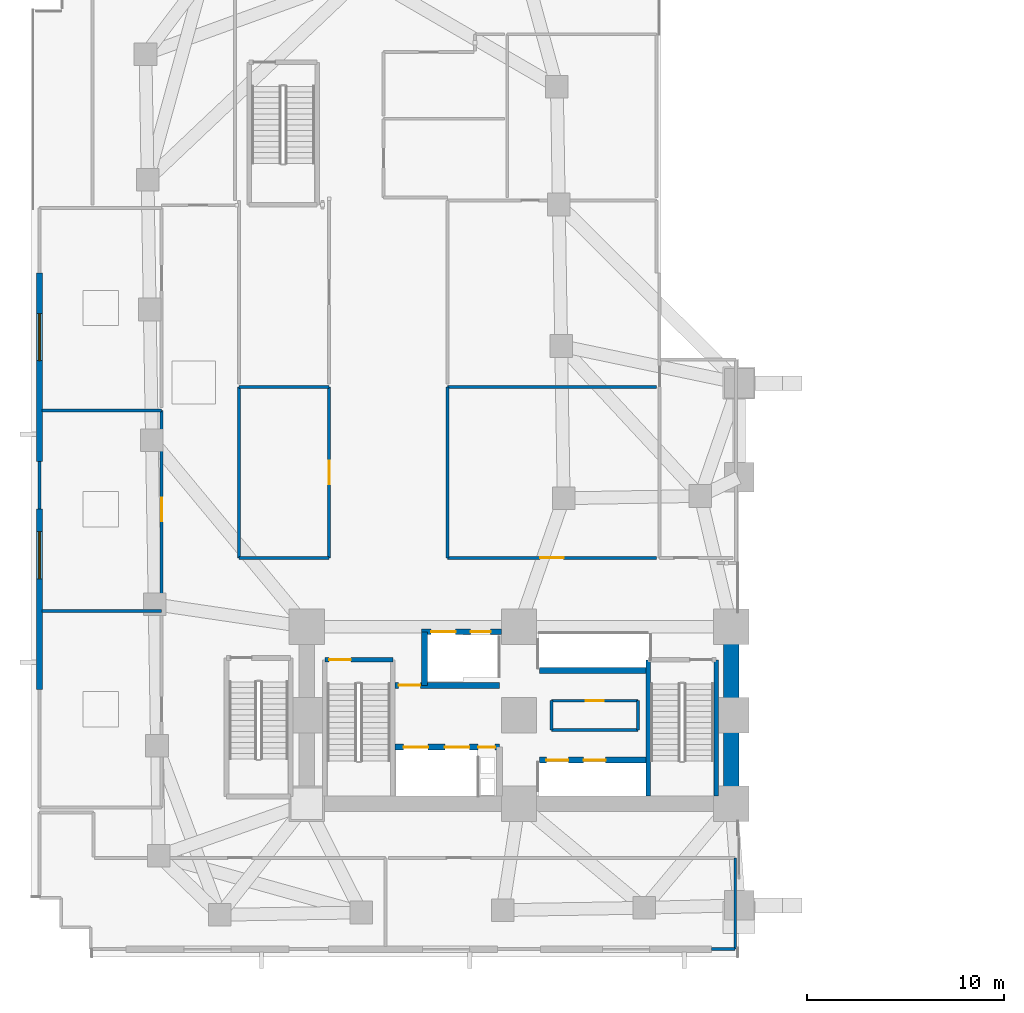
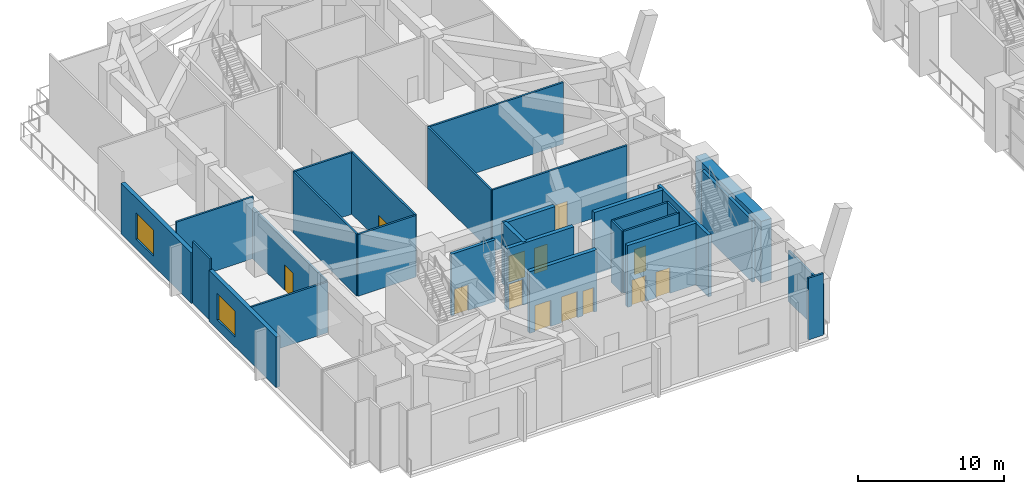
# One storey, part 8 of 18: 29 walls, 13 doors, 2 windows, 15 openings.
"""IFC4 building model written with IfcOpenShell, lengths in metres."""

from ifc_helpers import new_model, si_unit, direction, frame, frame_2d, origin, place, context, subcontext, project, spatial, rectangle, extrude, material, layer, layer_set, type_object, element, fill, save


model = new_model("IFC4")

# Units and contexts
model_context = context("Model", 3, precision=1e-05, world=origin(), true_north=direction((0.0, 1.0)))
body_context = subcontext(model_context, "Body", "Model", "MODEL_VIEW")
ifc_project = project(units=[si_unit("LENGTHUNIT", "METRE"), si_unit("AREAUNIT", "SQUARE_METRE"), si_unit("VOLUMEUNIT", "CUBIC_METRE"), si_unit("PLANEANGLEUNIT", "RADIAN"), si_unit("MASSUNIT", "GRAM", prefix="KILO")], contexts=[model_context])

# Site, building, storey
site_placement = place(None, origin())
site = spatial("IfcSite", under=ifc_project, at=site_placement, CompositionType="ELEMENT")
building_placement = place(site_placement, origin())
building = spatial("IfcBuilding", under=site, at=building_placement, Name="Gaonmaruhae Medical Tower", CompositionType="ELEMENT")
storey_placement = place(building_placement, frame((0.0, 0.0, 5.39990234375)))
storey = spatial("IfcBuildingStorey", under=building, at=storey_placement, Name="L01", CompositionType="ELEMENT", Elevation=5.39990234375)

# Wall
ifc_material_1 = material(Name="Concrete C60/75", Category="concrete")
ifc_layer_1 = layer(ifc_material_1, 0.800048828125)
ifc_layer_set_1 = layer_set([ifc_layer_1], Name="Concrete C60/75")
wall_type_1 = type_object("IfcWallType", Name="CW-800 Lower Core Shear Wall", PredefinedType="SHEAR", material=ifc_layer_set_1)
wall_1_placement = place(storey_placement, frame((35.60009765625, 7.800048828125, 0.0), z_axis=(0.0, 0.0, 1.0), x_axis=(0.0, 1.0, 0.0)))
element("IfcWall", 1, at=wall_1_placement, inside=storey, type_object=wall_type_1, Name="L01 Core Shear Wall CSW-E1", PredefinedType="SHEAR", context=body_context, shape_type="SweptSolid", body=[
    extrude(rectangle(XDim=9.0, YDim=0.800048828125, at=frame_2d((4.5, 0.0))), origin(), (0.0, 0.0, 1.0), 5.150146484375),
])

# Wall, opening, window
ifc_material_2 = material(Name="Precast concrete C45/55", Category="concrete")
ifc_layer_2 = layer(ifc_material_2, 0.320068359375)
ifc_layer_set_2 = layer_set([ifc_layer_2], Name="Precast concrete C45/55")
wall_type_2 = type_object("IfcWallType", Name="EW-320 Lower Precast Masonry-Frame Facade Wall", PredefinedType="SOLIDWALL", material=ifc_layer_set_2)
wall_2_placement = place(storey_placement, frame((0.39990234375, 13.60009765625, 0.0), z_axis=(0.0, 0.0, 1.0), x_axis=(0.0, 1.0, 0.0)))
wall_2 = element("IfcWall", 2, at=wall_2_placement, inside=storey, type_object=wall_type_2, Name="L01 Precast Facade Wall PB-W1", PredefinedType="SOLIDWALL", context=body_context, shape_type="SweptSolid", body=[
    extrude(rectangle(XDim=9.199951171875, YDim=0.320068359375, at=frame_2d((4.60009765625, 0.0))), origin(), (0.0, 0.0, 1.0), 4.22998046875),
])
opening_1_placement = place(wall_2_placement, frame((5.639892578125, 0.0, 0.800048828125)))
opening_1 = element("IfcOpeningElement", 3, at=opening_1_placement, cuts=wall_2, Name="Opening WN-06", PredefinedType="OPENING", context=body_context, shape_type="SweptSolid", body=[
    extrude(rectangle(XDim=2.39990234375, YDim=2.199951171875, at=frame_2d((1.199951171875, 1.10009765625))), frame((0.0, 0.169921875, 0.0), z_axis=(0.0, -1.0, 0.0), x_axis=(1.0, 0.0, 0.0)), (0.0, 0.0, 1.0), 0.340087890625),
])
ifc_material_3 = material(Name="Anodised aluminium and Low-E double glazing", Category="aluminium")
window_type = type_object("IfcWindowType", Name="WN-06 Podium Diagnostic Punched Window 2400x2200", PartitioningType="SINGLE_PANEL", PredefinedType="WINDOW", material=ifc_material_3)
window_1_placement = place(opening_1_placement, origin())
window_1 = element("IfcWindow", 4, at=window_1_placement, inside=storey, type_object=window_type, Name="L01 Podium Punched Window PB-W1", OverallHeight=2.199951171875, OverallWidth=2.39990234375, PartitioningType="SINGLE_PANEL", PredefinedType="WINDOW", context=body_context, shape_type="SweptSolid", body=[
    extrude(rectangle(XDim=2.39990234375, YDim=2.199951171875, at=frame_2d((1.199951171875, 1.10009765625))), frame((0.0, 0.030029296875, 0.0), z_axis=(0.0, -1.0, 0.0), x_axis=(1.0, 0.0, 0.0)), (0.0, 0.0, 1.0), 0.06005859375),
])
fill(opening_1, window_1)

wall_3_placement = place(storey_placement, frame((0.39990234375, 25.199951171875, 0.0), z_axis=(0.0, 0.0, 1.0), x_axis=(0.0, 1.0, 0.0)))
wall_3 = element("IfcWall", 5, at=wall_3_placement, inside=storey, type_object=wall_type_2, Name="L01 Precast Facade Wall PB-W2", PredefinedType="SOLIDWALL", context=body_context, shape_type="SweptSolid", body=[
    extrude(rectangle(XDim=9.60009765625, YDim=0.320068359375, at=frame_2d((4.800048828125, 0.0))), origin(), (0.0, 0.0, 1.0), 4.22998046875),
])
opening_2_placement = place(wall_3_placement, frame((5.139892578125, 0.0, 0.800048828125)))
opening_2 = element("IfcOpeningElement", 6, at=opening_2_placement, cuts=wall_3, Name="Opening WN-06", PredefinedType="OPENING", context=body_context, shape_type="SweptSolid", body=[
    extrude(rectangle(XDim=2.39990234375, YDim=2.199951171875, at=frame_2d((1.199951171875, 1.10009765625))), frame((0.0, 0.169921875, 0.0), z_axis=(0.0, -1.0, 0.0), x_axis=(1.0, 0.0, 0.0)), (0.0, 0.0, 1.0), 0.340087890625),
])
window_2_placement = place(opening_2_placement, origin())
window_2 = element("IfcWindow", 7, at=window_2_placement, inside=storey, type_object=window_type, Name="L01 Podium Punched Window PB-W2", OverallHeight=2.199951171875, OverallWidth=2.39990234375, PartitioningType="SINGLE_PANEL", PredefinedType="WINDOW", context=body_context, shape_type="SweptSolid", body=[
    extrude(rectangle(XDim=2.39990234375, YDim=2.199951171875, at=frame_2d((1.199951171875, 1.10009765625))), frame((0.0, 0.030029296875, 0.0), z_axis=(0.0, -1.0, 0.0), x_axis=(1.0, 0.0, 0.0)), (0.0, 0.0, 1.0), 0.06005859375),
])
fill(opening_2, window_2)

# Wall
ifc_material_4 = material(Name="Gypsum board partition", Category="gypsum")
ifc_layer_3 = layer(ifc_material_4, 0.14990234375)
ifc_layer_set_3 = layer_set([ifc_layer_3], Name="Gypsum board partition")
wall_type_3 = type_object("IfcWallType", Name="PW-150 Rated Clinical Corridor Partition", PredefinedType="PARTITIONING", material=ifc_layer_set_3)
wall_4_placement = place(storey_placement, frame((26.449951171875, 11.56005859375, 0.0), z_axis=(0.0, 0.0, 1.0), x_axis=(0.0, 1.0, 0.0)))
element("IfcWall", 8, at=wall_4_placement, inside=storey, type_object=wall_type_3, Name="L01 Interior Partition L01-CS1-1", PredefinedType="PARTITIONING", context=body_context, shape_type="SweptSolid", body=[
    extrude(rectangle(XDim=1.47998046875, YDim=0.14990234375, at=frame_2d((0.739990234375, 0.0))), origin(), (0.0, 0.0, 1.0), 5.150146484375),
])

# Wall, opening, door
wall_5_placement = place(storey_placement, frame((26.449951171875, 13.0400390625, 0.0), z_axis=(0.0, 0.0, 1.0), x_axis=(1.0, 0.0, 0.0)))
wall_5 = element("IfcWall", 9, at=wall_5_placement, inside=storey, type_object=wall_type_3, Name="L01 Interior Partition L01-CS1-2", PredefinedType="PARTITIONING", context=body_context, shape_type="SweptSolid", body=[
    extrude(rectangle(XDim=4.400146484375, YDim=0.14990234375, at=frame_2d((2.2001953125, 0.0))), origin(), (0.0, 0.0, 1.0), 5.150146484375),
])
opening_3_placement = place(wall_5_placement, frame((1.739990234375, 0.0, 0.0)))
opening_3 = element("IfcOpeningElement", 10, at=opening_3_placement, cuts=wall_5, Name="Opening UD-01", PredefinedType="OPENING", context=body_context, shape_type="SweptSolid", body=[
    extrude(rectangle(XDim=0.919921875, YDim=2.10009765625, at=frame_2d((0.4599609375, 1.050048828125))), frame((0.0, 0.0849609375, 0.0), z_axis=(0.0, -1.0, 0.0), x_axis=(1.0, 0.0, 0.0)), (0.0, 0.0, 1.0), 0.169921875),
])
ifc_material_5 = material(Name="Powder-coated steel utility door", Category="steel")
door_type_1 = type_object("IfcDoorType", Name="UD-01 Toilet, Utility & Housekeeping Door 920x2100", OperationType="NOTDEFINED", PredefinedType="DOOR", material=ifc_material_5)
door_1_placement = place(opening_3_placement, origin())
door_1 = element("IfcDoor", 11, at=door_1_placement, inside=storey, type_object=door_type_1, Name="L01 Clean Linen Utility Store Door", OperationType="SINGLE_SWING_LEFT", OverallHeight=2.10009765625, OverallWidth=0.919921875, PredefinedType="DOOR", context=body_context, shape_type="SweptSolid", body=[
    extrude(rectangle(XDim=0.919921875, YDim=2.10009765625, at=frame_2d((0.4599609375, 1.050048828125))), frame((0.0, 0.02490234375, 0.0), z_axis=(0.0, -1.0, 0.0), x_axis=(1.0, 0.0, 0.0)), (0.0, 0.0, 1.0), 0.050048828125),
])
fill(opening_3, door_1)

# Walls
wall_6_placement = place(storey_placement, frame((30.85009765625, 13.0400390625, 0.0), z_axis=(0.0, 0.0, 1.0), x_axis=(0.0, -1.0, 0.0)))
element("IfcWall", 12, at=wall_6_placement, inside=storey, type_object=wall_type_3, Name="L01 Interior Partition L01-CS1-3", PredefinedType="PARTITIONING", context=body_context, shape_type="SweptSolid", body=[
    extrude(rectangle(XDim=1.47998046875, YDim=0.14990234375, at=frame_2d((0.739990234375, 0.0))), origin(), (0.0, 0.0, 1.0), 5.150146484375),
])
wall_7_placement = place(storey_placement, frame((30.85009765625, 11.56005859375, 0.0), z_axis=(0.0, 0.0, 1.0), x_axis=(-1.0, 0.0, 0.0)))
element("IfcWall", 13, at=wall_7_placement, inside=storey, type_object=wall_type_3, Name="L01 Interior Partition L01-CS1-4", PredefinedType="PARTITIONING", context=body_context, shape_type="SweptSolid", body=[
    extrude(rectangle(XDim=4.400146484375, YDim=0.14990234375, at=frame_2d((2.2001953125, 0.0))), origin(), (0.0, 0.0, 1.0), 5.150146484375),
])
wall_8_placement = place(storey_placement, frame((0.534912109375, 17.60009765625, 0.0), z_axis=(0.0, 0.0, 1.0), x_axis=(1.0, 0.0, 0.0)))
element("IfcWall", 14, at=wall_8_placement, inside=storey, type_object=wall_type_3, Name="L01 Interior Partition L01-WP1-5", PredefinedType="PARTITIONING", context=body_context, shape_type="SweptSolid", body=[
    extrude(rectangle(XDim=6.085205078125, YDim=0.14990234375, at=frame_2d((3.04248046875, 0.0))), origin(), (0.0, 0.0, 1.0), 4.235107421875),
])
wall_9_placement = place(storey_placement, frame((0.534912109375, 27.800048828125, 0.0), z_axis=(0.0, 0.0, 1.0), x_axis=(1.0, 0.0, 0.0)))
element("IfcWall", 15, at=wall_9_placement, inside=storey, type_object=wall_type_3, Name="L01 Interior Partition L01-WP2-9", PredefinedType="PARTITIONING", context=body_context, shape_type="SweptSolid", body=[
    extrude(rectangle(XDim=6.085205078125, YDim=0.14990234375, at=frame_2d((3.04248046875, 0.0))), origin(), (0.0, 0.0, 1.0), 5.150146484375),
])

# Wall, opening, door
wall_10_placement = place(storey_placement, frame((6.6201171875, 27.800048828125, 0.0), z_axis=(0.0, 0.0, 1.0), x_axis=(0.0, -1.0, 0.0)))
wall_10 = element("IfcWall", 16, at=wall_10_placement, inside=storey, type_object=wall_type_3, Name="L01 Interior Partition L01-WP2-10", PredefinedType="PARTITIONING", context=body_context, shape_type="SweptSolid", body=[
    extrude(rectangle(XDim=10.050048828125, YDim=0.14990234375, at=frame_2d((5.02490234375, 0.0))), origin(), (0.0, 0.0, 1.0), 4.235107421875),
])
opening_4_placement = place(wall_10_placement, frame((4.425048828125, 0.0, 0.0)))
opening_4 = element("IfcOpeningElement", 17, at=opening_4_placement, cuts=wall_10, Name="Opening CD-02", PredefinedType="OPENING", context=body_context, shape_type="SweptSolid", body=[
    extrude(rectangle(XDim=1.199951171875, YDim=2.14990234375, at=frame_2d((0.60009765625, 1.074951171875))), frame((0.0, 0.0849609375, 0.0), z_axis=(0.0, -1.0, 0.0), x_axis=(1.0, 0.0, 0.0)), (0.0, 0.0, 1.0), 0.169921875),
])
ifc_material_6 = material(Name="Antimicrobial laminate timber fire door", Category="wood")
door_type_2 = type_object("IfcDoorType", Name="CD-02 Clinical Treatment & Procedure Door 1200x2150", OperationType="NOTDEFINED", PredefinedType="DOOR", material=ifc_material_6)
door_2_placement = place(opening_4_placement, origin())
door_2 = element("IfcDoor", 18, at=door_2_placement, inside=storey, type_object=door_type_2, Name="L01 L01 Outpatient Consultation Clinic B Door", OperationType="SINGLE_SWING_LEFT", OverallHeight=2.14990234375, OverallWidth=1.199951171875, PredefinedType="DOOR", context=body_context, shape_type="SweptSolid", body=[
    extrude(rectangle(XDim=1.199951171875, YDim=2.14990234375, at=frame_2d((0.60009765625, 1.074951171875))), frame((0.0, 0.02490234375, 0.0), z_axis=(0.0, -1.0, 0.0), x_axis=(1.0, 0.0, 0.0)), (0.0, 0.0, 1.0), 0.050048828125),
])
fill(opening_4, door_2)

# Walls
wall_11_placement = place(storey_placement, frame((0.39990234375, 22.800048828125, 0.0), z_axis=(0.0, 0.0, 1.0), x_axis=(0.0, 1.0, 0.0)))
element("IfcWall", 19, at=wall_11_placement, inside=storey, type_object=wall_type_3, Name="L01 Interior Partition L01-WP2-11", PredefinedType="PARTITIONING", context=body_context, shape_type="SweptSolid", body=[
    extrude(rectangle(XDim=2.39990234375, YDim=0.14990234375, at=frame_2d((1.199951171875, 0.0))), origin(), (0.0, 0.0, 1.0), 5.150146484375),
])
wall_12_placement = place(storey_placement, frame((35.800048828125, 0.39990234375, 0.0), z_axis=(0.0, 0.0, 1.0), x_axis=(-1.0, 0.0, 0.0)))
element("IfcWall", 20, at=wall_12_placement, inside=storey, type_object=wall_type_3, Name="L01 Interior Partition L01-D2-48", PredefinedType="PARTITIONING", context=body_context, shape_type="SweptSolid", body=[
    extrude(rectangle(XDim=1.199951171875, YDim=0.14990234375, at=frame_2d((0.60009765625, 0.0))), origin(), (0.0, 0.0, 1.0), 5.150146484375),
])
wall_13_placement = place(storey_placement, frame((35.800048828125, 5.0400390625, 0.0), z_axis=(0.0, 0.0, 1.0), x_axis=(0.0, -1.0, 0.0)))
element("IfcWall", 21, at=wall_13_placement, inside=storey, type_object=wall_type_3, Name="L01 Interior Partition L01-D2-51", PredefinedType="PARTITIONING", context=body_context, shape_type="SweptSolid", body=[
    extrude(rectangle(XDim=4.64013671875, YDim=0.14990234375, at=frame_2d((2.320068359375, 0.0))), origin(), (0.0, 0.0, 1.0), 4.235107421875),
])
wall_14_placement = place(storey_placement, frame((10.550048828125, 20.31005859375, 0.0), z_axis=(0.0, 0.0, 1.0), x_axis=(0.0, 1.0, 0.0)))
element("IfcWall", 22, at=wall_14_placement, inside=storey, type_object=wall_type_3, Name="L01 Interior Partition L01-D3-52", PredefinedType="PARTITIONING", context=body_context, shape_type="SweptSolid", body=[
    extrude(rectangle(XDim=8.68994140625, YDim=0.14990234375, at=frame_2d((4.344970703125, 0.0))), origin(), (0.0, 0.0, 1.0), 5.150146484375),
])
wall_15_placement = place(storey_placement, frame((10.550048828125, 29.0, 0.0), z_axis=(0.0, 0.0, 1.0), x_axis=(1.0, 0.0, 0.0)))
element("IfcWall", 23, at=wall_15_placement, inside=storey, type_object=wall_type_3, Name="L01 Interior Partition L01-D3-53", PredefinedType="PARTITIONING", context=body_context, shape_type="SweptSolid", body=[
    extrude(rectangle(XDim=4.58984375, YDim=0.14990234375, at=frame_2d((2.294921875, 0.0))), origin(), (0.0, 0.0, 1.0), 5.150146484375),
])

# Wall, opening, door
wall_16_placement = place(storey_placement, frame((15.139892578125, 29.0, 0.0), z_axis=(0.0, 0.0, 1.0), x_axis=(0.0, -1.0, 0.0)))
wall_16 = element("IfcWall", 24, at=wall_16_placement, inside=storey, type_object=wall_type_3, Name="L01 Interior Partition L01-D3-54", PredefinedType="PARTITIONING", context=body_context, shape_type="SweptSolid", body=[
    extrude(rectangle(XDim=8.68994140625, YDim=0.14990234375, at=frame_2d((4.344970703125, 0.0))), origin(), (0.0, 0.0, 1.0), 5.150146484375),
])
opening_5_placement = place(wall_16_placement, frame((3.7451171875, 0.0, 0.0)))
opening_5 = element("IfcOpeningElement", 25, at=opening_5_placement, cuts=wall_16, Name="Opening CD-02", PredefinedType="OPENING", context=body_context, shape_type="SweptSolid", body=[
    extrude(rectangle(XDim=1.199951171875, YDim=2.14990234375, at=frame_2d((0.60009765625, 1.074951171875))), frame((0.0, 0.0849609375, 0.0), z_axis=(0.0, -1.0, 0.0), x_axis=(1.0, 0.0, 0.0)), (0.0, 0.0, 1.0), 0.169921875),
])
door_3_placement = place(opening_5_placement, origin())
door_3 = element("IfcDoor", 26, at=door_3_placement, inside=storey, type_object=door_type_2, Name="L01 Specialist Consultation Room A Door", OperationType="SINGLE_SWING_RIGHT", OverallHeight=2.14990234375, OverallWidth=1.199951171875, PredefinedType="DOOR", context=body_context, shape_type="SweptSolid", body=[
    extrude(rectangle(XDim=1.199951171875, YDim=2.14990234375, at=frame_2d((0.60009765625, 1.074951171875))), frame((0.0, 0.02490234375, 0.0), z_axis=(0.0, -1.0, 0.0), x_axis=(1.0, 0.0, 0.0)), (0.0, 0.0, 1.0), 0.050048828125),
])
fill(opening_5, door_3)

# Walls
wall_17_placement = place(storey_placement, frame((15.139892578125, 20.31005859375, 0.0), z_axis=(0.0, 0.0, 1.0), x_axis=(-1.0, 0.0, 0.0)))
element("IfcWall", 27, at=wall_17_placement, inside=storey, type_object=wall_type_3, Name="L01 Interior Partition L01-D3-55", PredefinedType="PARTITIONING", context=body_context, shape_type="SweptSolid", body=[
    extrude(rectangle(XDim=4.58984375, YDim=0.14990234375, at=frame_2d((2.294921875, 0.0))), origin(), (0.0, 0.0, 1.0), 5.150146484375),
])
wall_18_placement = place(storey_placement, frame((21.14990234375, 29.0, 0.0), z_axis=(0.0, 0.0, 1.0), x_axis=(1.0, 0.0, 0.0)))
element("IfcWall", 28, at=wall_18_placement, inside=storey, type_object=wall_type_3, Name="L01 Interior Partition L01-D4-56", PredefinedType="PARTITIONING", context=body_context, shape_type="SweptSolid", body=[
    extrude(rectangle(XDim=10.650146484375, YDim=0.14990234375, at=frame_2d((5.3251953125, 0.0))), origin(), (0.0, 0.0, 1.0), 5.150146484375),
])

# Wall, opening, door
wall_19_placement = place(storey_placement, frame((31.800048828125, 20.31005859375, 0.0), z_axis=(0.0, 0.0, 1.0), x_axis=(-1.0, 0.0, 0.0)))
wall_19 = element("IfcWall", 29, at=wall_19_placement, inside=storey, type_object=wall_type_3, Name="L01 Interior Partition L01-D4-57", PredefinedType="PARTITIONING", context=body_context, shape_type="SweptSolid", body=[
    extrude(rectangle(XDim=10.650146484375, YDim=0.14990234375, at=frame_2d((5.3251953125, 0.0))), origin(), (0.0, 0.0, 1.0), 5.150146484375),
])
opening_6_placement = place(wall_19_placement, frame((4.72509765625, 0.0, 0.0)))
opening_6 = element("IfcOpeningElement", 30, at=opening_6_placement, cuts=wall_19, Name="Opening CD-02", PredefinedType="OPENING", context=body_context, shape_type="SweptSolid", body=[
    extrude(rectangle(XDim=1.199951171875, YDim=2.14990234375, at=frame_2d((0.60009765625, 1.074951171875))), frame((0.0, 0.0849609375, 0.0), z_axis=(0.0, -1.0, 0.0), x_axis=(1.0, 0.0, 0.0)), (0.0, 0.0, 1.0), 0.169921875),
])
door_4_placement = place(opening_6_placement, origin())
door_4 = element("IfcDoor", 31, at=door_4_placement, inside=storey, type_object=door_type_2, Name="L01 Specialist Consultation Room B Door", OperationType="SINGLE_SWING_LEFT", OverallHeight=2.14990234375, OverallWidth=1.199951171875, PredefinedType="DOOR", context=body_context, shape_type="SweptSolid", body=[
    extrude(rectangle(XDim=1.199951171875, YDim=2.14990234375, at=frame_2d((0.60009765625, 1.074951171875))), frame((0.0, 0.02490234375, 0.0), z_axis=(0.0, -1.0, 0.0), x_axis=(1.0, 0.0, 0.0)), (0.0, 0.0, 1.0), 0.050048828125),
])
fill(opening_6, door_4)

# Wall
wall_20_placement = place(storey_placement, frame((21.14990234375, 20.31005859375, 0.0), z_axis=(0.0, 0.0, 1.0), x_axis=(0.0, 1.0, 0.0)))
element("IfcWall", 32, at=wall_20_placement, inside=storey, type_object=wall_type_3, Name="L01 Interior Partition L01-D4-58", PredefinedType="PARTITIONING", context=body_context, shape_type="SweptSolid", body=[
    extrude(rectangle(XDim=8.68994140625, YDim=0.14990234375, at=frame_2d((4.344970703125, 0.0))), origin(), (0.0, 0.0, 1.0), 5.150146484375),
])

# Wall, opening, door
ifc_material_7 = material(Name="Concrete C50/60", Category="concrete")
ifc_layer_4 = layer(ifc_material_7, 0.239990234375)
ifc_layer_set_4 = layer_set([ifc_layer_4], Name="Concrete C50/60")
wall_type_4 = type_object("IfcWallType", Name="SW-240 Dogleg Stair Tight Shaft Wall", PredefinedType="SOLIDWALL", material=ifc_layer_set_4)
wall_21_placement = place(storey_placement, frame((14.919921875, 15.1201171875, 0.0), z_axis=(0.0, 0.0, 1.0), x_axis=(1.0, 0.0, 0.0)))
wall_21 = element("IfcWall", 33, at=wall_21_placement, inside=storey, type_object=wall_type_4, Name="L01 ST-01 Stair Shaft Wall SHW-ST-01-N", PredefinedType="SOLIDWALL", context=body_context, shape_type="SweptSolid", body=[
    extrude(rectangle(XDim=3.4599609375, YDim=0.239990234375, at=frame_2d((1.72998046875, 0.0))), origin(), (0.0, 0.0, 1.0), 5.150146484375),
])
opening_7_placement = place(wall_21_placement, frame((0.219970703125, 0.0, 0.0)))
opening_7 = element("IfcOpeningElement", 34, at=opening_7_placement, cuts=wall_21, Name="Opening FD-01", PredefinedType="OPENING", context=body_context, shape_type="SweptSolid", body=[
    extrude(rectangle(XDim=1.10009765625, YDim=2.14990234375, at=frame_2d((0.550048828125, 1.074951171875))), frame((0.0, 0.1298828125, 0.0), z_axis=(0.0, -1.0, 0.0), x_axis=(1.0, 0.0, 0.0)), (0.0, 0.0, 1.0), 0.260009765625),
])
ifc_material_8 = material(Name="Powder-coated steel fire door", Category="steel")
door_type_3 = type_object("IfcDoorType", Name="FD-01 Escape Stair Protected Fire Door 1100x2150", OperationType="NOTDEFINED", PredefinedType="DOOR", material=ifc_material_8)
door_5_placement = place(opening_7_placement, origin())
door_5 = element("IfcDoor", 35, at=door_5_placement, inside=storey, type_object=door_type_3, Name="L01 ST-01 Protected Escape Stair Door", OperationType="SINGLE_SWING_RIGHT", OverallHeight=2.14990234375, OverallWidth=1.10009765625, PredefinedType="DOOR", context=body_context, shape_type="SweptSolid", body=[
    extrude(rectangle(XDim=1.10009765625, YDim=2.14990234375, at=frame_2d((0.550048828125, 1.074951171875))), frame((0.0, 0.02490234375, 0.0), z_axis=(0.0, -1.0, 0.0), x_axis=(1.0, 0.0, 0.0)), (0.0, 0.0, 1.0), 0.050048828125),
])
fill(opening_7, door_5)

# Walls
for number, where, z_axis, x_axis, name in (
    (36, (34.830078125, 15.1201171875, 0.0), (0.0, 0.0, 1.0), (0.0, -1.0, 0.0), "L01 ST-02 Stair Shaft Wall SHW-ST-02-E"),
    (37, (31.3701171875, 8.199951171875, 0.0), (0.0, 0.0, 1.0), (0.0, 1.0, 0.0), "L01 ST-02 Stair Shaft Wall SHW-ST-02-W"),
):
    element("IfcWall", number, at=place(storey_placement, frame(where, z_axis=z_axis, x_axis=x_axis)), inside=storey, type_object=wall_type_4, Name=name, PredefinedType="SOLIDWALL", context=body_context, shape_type="SweptSolid", body=[
        extrude(rectangle(XDim=6.920166015625, YDim=0.239990234375, at=frame_2d((3.4599609375, 0.0))), origin(), (0.0, 0.0, 1.0), 5.150146484375),
    ])

# Wall, openings, doors
ifc_layer_5 = layer(ifc_material_7, 0.300048828125)
ifc_layer_set_5 = layer_set([ifc_layer_5], Name="Concrete C50/60")
wall_type_5 = type_object("IfcWallType", Name="SW-300 Stair & Lift Hoistway Shaft Wall", PredefinedType="SOLIDWALL", material=ifc_layer_set_5)
wall_22_placement = place(storey_placement, frame((19.85009765625, 16.550048828125, 0.0), z_axis=(0.0, 0.0, 1.0), x_axis=(1.0, 0.0, 0.0)))
wall_22 = element("IfcWall", 38, at=wall_22_placement, inside=storey, type_object=wall_type_5, Name="L01 Core Shear Wall CSW-NB", PredefinedType="SOLIDWALL", context=body_context, shape_type="SweptSolid", body=[
    extrude(rectangle(XDim=4.0498046875, YDim=0.300048828125, at=frame_2d((2.02490234375, 0.0))), origin(), (0.0, 0.0, 1.0), 5.150146484375),
])
opening_8_placement = place(wall_22_placement, frame((0.47509765625, 0.0, 0.0)))
opening_8 = element("IfcOpeningElement", 39, at=opening_8_placement, cuts=wall_22, Name="Opening LD-F1", PredefinedType="OPENING", context=body_context, shape_type="SweptSolid", body=[
    extrude(rectangle(XDim=1.25, YDim=2.179931640625, at=frame_2d((0.625, 1.08984375))), frame((0.0, 0.16015625, 0.0), z_axis=(0.0, -1.0, 0.0), x_axis=(1.0, 0.0, 0.0)), (0.0, 0.0, 1.0), 0.320068359375),
])
opening_9_placement = place(wall_22_placement, frame((2.489990234375, 0.0, 0.0)))
opening_9 = element("IfcOpeningElement", 40, at=opening_9_placement, cuts=wall_22, Name="Opening LD-S1", PredefinedType="OPENING", context=body_context, shape_type="SweptSolid", body=[
    extrude(rectangle(XDim=1.02001953125, YDim=2.1201171875, at=frame_2d((0.510009765625, 1.06005859375))), frame((0.0, 0.16015625, 0.0), z_axis=(0.0, -1.0, 0.0), x_axis=(1.0, 0.0, 0.0)), (0.0, 0.0, 1.0), 0.320068359375),
])
ifc_material_9 = material(Name="Brushed stainless steel 316L landing door", Category="steel")
door_type_4 = type_object("IfcDoorType", Name="LD-F1 Firefighting & Bed Lift Sliding Landing Door 1250x2180", OperationType="NOTDEFINED", PredefinedType="DOOR", material=ifc_material_9)
door_6_placement = place(opening_8_placement, origin())
door_6 = element("IfcDoor", 41, at=door_6_placement, inside=storey, type_object=door_type_4, Name="L01 Service/Bed Lift Landing Door BDL-01", OperationType="DOUBLE_DOOR_SLIDING", OverallHeight=2.179931640625, OverallWidth=1.25, PredefinedType="DOOR", context=body_context, shape_type="SweptSolid", body=[
    extrude(rectangle(XDim=1.25, YDim=2.179931640625, at=frame_2d((0.625, 1.08984375))), frame((0.0, 0.02490234375, 0.0), z_axis=(0.0, -1.0, 0.0), x_axis=(1.0, 0.0, 0.0)), (0.0, 0.0, 1.0), 0.050048828125),
])
fill(opening_8, door_6)
ifc_material_10 = material(Name="Brushed stainless steel 304 landing door", Category="steel")
door_type_5 = type_object("IfcDoorType", Name="LD-S1 Service Lift Sliding Landing Door 1020x2120", OperationType="NOTDEFINED", PredefinedType="DOOR", material=ifc_material_10)
door_7_placement = place(opening_9_placement, origin())
door_7 = element("IfcDoor", 42, at=door_7_placement, inside=storey, type_object=door_type_5, Name="L01 Service/Bed Lift Landing Door SVL-01", OperationType="SLIDING_TO_LEFT", OverallHeight=2.1201171875, OverallWidth=1.02001953125, PredefinedType="DOOR", context=body_context, shape_type="SweptSolid", body=[
    extrude(rectangle(XDim=1.02001953125, YDim=2.1201171875, at=frame_2d((0.510009765625, 1.06005859375))), frame((0.0, 0.02490234375, 0.0), z_axis=(0.0, -1.0, 0.0), x_axis=(1.0, 0.0, 0.0)), (0.0, 0.0, 1.0), 0.050048828125),
])
fill(opening_9, door_7)

wall_23_placement = place(storey_placement, frame((18.5, 10.679931640625, 0.0), z_axis=(0.0, 0.0, 1.0), x_axis=(1.0, 0.0, 0.0)))
wall_23 = element("IfcWall", 43, at=wall_23_placement, inside=storey, type_object=wall_type_5, Name="L01 Shaft Enclosure Wall SHW-FFN", PredefinedType="SOLIDWALL", context=body_context, shape_type="SweptSolid", body=[
    extrude(rectangle(XDim=5.300048828125, YDim=0.300048828125, at=frame_2d((2.64990234375, 0.0))), origin(), (0.0, 0.0, 1.0), 5.150146484375),
])
opening_10_placement = place(wall_23_placement, frame((4.219970703125, 0.0, 0.0)))
opening_10 = element("IfcOpeningElement", 44, at=opening_10_placement, cuts=wall_23, Name="Opening AD-01", PredefinedType="OPENING", context=body_context, shape_type="SweptSolid", body=[
    extrude(rectangle(XDim=0.860107421875, YDim=2.06005859375, at=frame_2d((0.43017578125, 1.030029296875))), frame((0.0, 0.16015625, 0.0), z_axis=(0.0, -1.0, 0.0), x_axis=(1.0, 0.0, 0.0)), (0.0, 0.0, 1.0), 0.320068359375),
])
opening_11_placement = place(wall_23_placement, frame((0.425048828125, 0.0, 0.0)))
opening_11 = element("IfcOpeningElement", 45, at=opening_11_placement, cuts=wall_23, Name="Opening LD-F1", PredefinedType="OPENING", context=body_context, shape_type="SweptSolid", body=[
    extrude(rectangle(XDim=1.25, YDim=2.179931640625, at=frame_2d((0.625, 1.08984375))), frame((0.0, 0.16015625, 0.0), z_axis=(0.0, -1.0, 0.0), x_axis=(1.0, 0.0, 0.0)), (0.0, 0.0, 1.0), 0.320068359375),
])
opening_12_placement = place(wall_23_placement, frame((2.52490234375, 0.0, 0.0)))
opening_12 = element("IfcOpeningElement", 46, at=opening_12_placement, cuts=wall_23, Name="Opening LD-F1", PredefinedType="OPENING", context=body_context, shape_type="SweptSolid", body=[
    extrude(rectangle(XDim=1.25, YDim=2.179931640625, at=frame_2d((0.625, 1.08984375))), frame((0.0, 0.16015625, 0.0), z_axis=(0.0, -1.0, 0.0), x_axis=(1.0, 0.0, 0.0)), (0.0, 0.0, 1.0), 0.320068359375),
])
ifc_material_11 = material(Name="Powder-coated steel access door", Category="steel")
door_type_6 = type_object("IfcDoorType", Name="AD-01 Riser & Closet Access Fire Door 860x2060", OperationType="NOTDEFINED", PredefinedType="DOOR", material=ifc_material_11)
door_8_placement = place(opening_10_placement, origin())
door_8 = element("IfcDoor", 47, at=door_8_placement, inside=storey, type_object=door_type_6, Name="L01 Medical Gas and MEP Riser Access Door", OperationType="SINGLE_SWING_RIGHT", OverallHeight=2.06005859375, OverallWidth=0.860107421875, PredefinedType="DOOR", context=body_context, shape_type="SweptSolid", body=[
    extrude(rectangle(XDim=0.860107421875, YDim=2.06005859375, at=frame_2d((0.43017578125, 1.030029296875))), frame((0.0, 0.02490234375, 0.0), z_axis=(0.0, -1.0, 0.0), x_axis=(1.0, 0.0, 0.0)), (0.0, 0.0, 1.0), 0.050048828125),
])
fill(opening_10, door_8)
door_9_placement = place(opening_11_placement, origin())
door_9 = element("IfcDoor", 48, at=door_9_placement, inside=storey, type_object=door_type_4, Name="L01 Firefighting Lift Landing Door FFL-01", OperationType="DOUBLE_DOOR_SLIDING", OverallHeight=2.179931640625, OverallWidth=1.25, PredefinedType="DOOR", context=body_context, shape_type="SweptSolid", body=[
    extrude(rectangle(XDim=1.25, YDim=2.179931640625, at=frame_2d((0.625, 1.08984375))), frame((0.0, 0.02490234375, 0.0), z_axis=(0.0, -1.0, 0.0), x_axis=(1.0, 0.0, 0.0)), (0.0, 0.0, 1.0), 0.050048828125),
])
fill(opening_11, door_9)
door_10_placement = place(opening_12_placement, origin())
door_10 = element("IfcDoor", 49, at=door_10_placement, inside=storey, type_object=door_type_4, Name="L01 Firefighting Lift Landing Door FFL-02", OperationType="DOUBLE_DOOR_SLIDING", OverallHeight=2.179931640625, OverallWidth=1.25, PredefinedType="DOOR", context=body_context, shape_type="SweptSolid", body=[
    extrude(rectangle(XDim=1.25, YDim=2.179931640625, at=frame_2d((0.625, 1.08984375))), frame((0.0, 0.02490234375, 0.0), z_axis=(0.0, -1.0, 0.0), x_axis=(1.0, 0.0, 0.0)), (0.0, 0.0, 1.0), 0.050048828125),
])
fill(opening_12, door_10)

# Wall, opening, door
wall_24_placement = place(storey_placement, frame((18.5, 13.820068359375, 0.0), z_axis=(0.0, 0.0, 1.0), x_axis=(1.0, 0.0, 0.0)))
wall_24 = element("IfcWall", 50, at=wall_24_placement, inside=storey, type_object=wall_type_5, Name="L01 Shaft Enclosure Wall SHW-FFL", PredefinedType="SOLIDWALL", context=body_context, shape_type="SweptSolid", body=[
    extrude(rectangle(XDim=5.300048828125, YDim=0.300048828125, at=frame_2d((2.64990234375, 0.0))), origin(), (0.0, 0.0, 1.0), 5.150146484375),
])
opening_13_placement = place(wall_24_placement, frame((0.179931640625, 0.0, 0.0)))
opening_13 = element("IfcOpeningElement", 51, at=opening_13_placement, cuts=wall_24, Name="Opening FD-01", PredefinedType="OPENING", context=body_context, shape_type="SweptSolid", body=[
    extrude(rectangle(XDim=1.10009765625, YDim=2.14990234375, at=frame_2d((0.550048828125, 1.074951171875))), frame((0.0, 0.16015625, 0.0), z_axis=(0.0, -1.0, 0.0), x_axis=(1.0, 0.0, 0.0)), (0.0, 0.0, 1.0), 0.320068359375),
])
door_11_placement = place(opening_13_placement, origin())
door_11 = element("IfcDoor", 52, at=door_11_placement, inside=storey, type_object=door_type_3, Name="L01 Firefighting Lobby Smoke Door", OperationType="SINGLE_SWING_LEFT", OverallHeight=2.14990234375, OverallWidth=1.10009765625, PredefinedType="DOOR", context=body_context, shape_type="SweptSolid", body=[
    extrude(rectangle(XDim=1.10009765625, YDim=2.14990234375, at=frame_2d((0.550048828125, 1.074951171875))), frame((0.0, 0.02490234375, 0.0), z_axis=(0.0, -1.0, 0.0), x_axis=(1.0, 0.0, 0.0)), (0.0, 0.0, 1.0), 0.050048828125),
])
fill(opening_13, door_11)

# Wall
wall_25_placement = place(storey_placement, frame((20.0, 13.820068359375, 0.0), z_axis=(0.0, 0.0, 1.0), x_axis=(0.0, 1.0, 0.0)))
element("IfcWall", 53, at=wall_25_placement, inside=storey, type_object=wall_type_5, Name="L01 Shaft Enclosure Wall SHW-BDW", PredefinedType="SOLIDWALL", context=body_context, shape_type="SweptSolid", body=[
    extrude(rectangle(XDim=2.72998046875, YDim=0.300048828125, at=frame_2d((1.364990234375, 0.0))), origin(), (0.0, 0.0, 1.0), 5.150146484375),
])

# Wall, openings, doors
wall_26_placement = place(storey_placement, frame((25.85009765625, 10.02001953125, 0.0), z_axis=(0.0, 0.0, 1.0), x_axis=(1.0, 0.0, 0.0)))
wall_26 = element("IfcWall", 54, at=wall_26_placement, inside=storey, type_object=wall_type_5, Name="L01 Shaft Enclosure Wall SHW-PLS", PredefinedType="SOLIDWALL", context=body_context, shape_type="SweptSolid", body=[
    extrude(rectangle(XDim=5.449951171875, YDim=0.300048828125, at=frame_2d((2.72509765625, 0.0))), origin(), (0.0, 0.0, 1.0), 5.150146484375),
])
opening_14_placement = place(wall_26_placement, frame((0.340087890625, 0.0, 0.0)))
opening_14 = element("IfcOpeningElement", 55, at=opening_14_placement, cuts=wall_26, Name="Opening LD-P1", PredefinedType="OPENING", context=body_context, shape_type="SweptSolid", body=[
    extrude(rectangle(XDim=1.1201171875, YDim=2.14990234375, at=frame_2d((0.56005859375, 1.074951171875))), frame((0.0, 0.16015625, 0.0), z_axis=(0.0, -1.0, 0.0), x_axis=(1.0, 0.0, 0.0)), (0.0, 0.0, 1.0), 0.320068359375),
])
opening_15_placement = place(wall_26_placement, frame((2.239990234375, 0.0, 0.0)))
opening_15 = element("IfcOpeningElement", 56, at=opening_15_placement, cuts=wall_26, Name="Opening LD-P1", PredefinedType="OPENING", context=body_context, shape_type="SweptSolid", body=[
    extrude(rectangle(XDim=1.1201171875, YDim=2.14990234375, at=frame_2d((0.56005859375, 1.074951171875))), frame((0.0, 0.16015625, 0.0), z_axis=(0.0, -1.0, 0.0), x_axis=(1.0, 0.0, 0.0)), (0.0, 0.0, 1.0), 0.320068359375),
])
door_type_7 = type_object("IfcDoorType", Name="LD-P1 Passenger Lift Sliding Landing Door 1120x2150", OperationType="NOTDEFINED", PredefinedType="DOOR", material=ifc_material_10)
door_12_placement = place(opening_14_placement, origin())
door_12 = element("IfcDoor", 57, at=door_12_placement, inside=storey, type_object=door_type_7, Name="L01 Passenger Lift Landing Door PL-L1", OperationType="DOUBLE_DOOR_SLIDING", OverallHeight=2.14990234375, OverallWidth=1.1201171875, PredefinedType="DOOR", context=body_context, shape_type="SweptSolid", body=[
    extrude(rectangle(XDim=1.1201171875, YDim=2.14990234375, at=frame_2d((0.56005859375, 1.074951171875))), frame((0.0, 0.02490234375, 0.0), z_axis=(0.0, -1.0, 0.0), x_axis=(1.0, 0.0, 0.0)), (0.0, 0.0, 1.0), 0.050048828125),
])
fill(opening_14, door_12)
door_13_placement = place(opening_15_placement, origin())
door_13 = element("IfcDoor", 58, at=door_13_placement, inside=storey, type_object=door_type_7, Name="L01 Passenger Lift Landing Door PL-L2", OperationType="DOUBLE_DOOR_SLIDING", OverallHeight=2.14990234375, OverallWidth=1.1201171875, PredefinedType="DOOR", context=body_context, shape_type="SweptSolid", body=[
    extrude(rectangle(XDim=1.1201171875, YDim=2.14990234375, at=frame_2d((0.56005859375, 1.074951171875))), frame((0.0, 0.02490234375, 0.0), z_axis=(0.0, -1.0, 0.0), x_axis=(1.0, 0.0, 0.0)), (0.0, 0.0, 1.0), 0.050048828125),
])
fill(opening_15, door_13)

# Wall
wall_27_placement = place(storey_placement, frame((25.85009765625, 14.580078125, 0.0), z_axis=(0.0, 0.0, 1.0), x_axis=(1.0, 0.0, 0.0)))
element("IfcWall", 59, at=wall_27_placement, inside=storey, type_object=wall_type_5, Name="L01 Shaft Enclosure Wall SHW-PLN", PredefinedType="SOLIDWALL", context=body_context, shape_type="SweptSolid", body=[
    extrude(rectangle(XDim=5.449951171875, YDim=0.300048828125, at=frame_2d((2.72509765625, 0.0))), origin(), (0.0, 0.0, 1.0), 5.150146484375),
])

save(model, "model.ifc")
